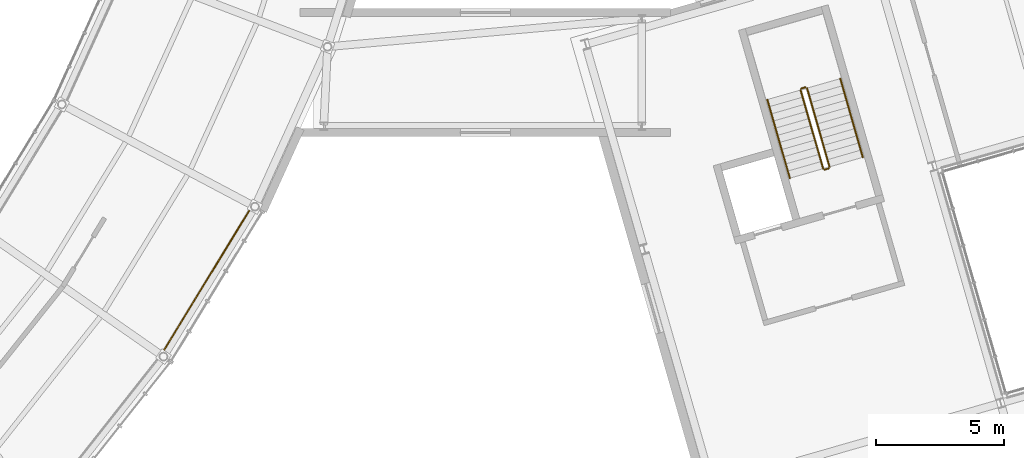
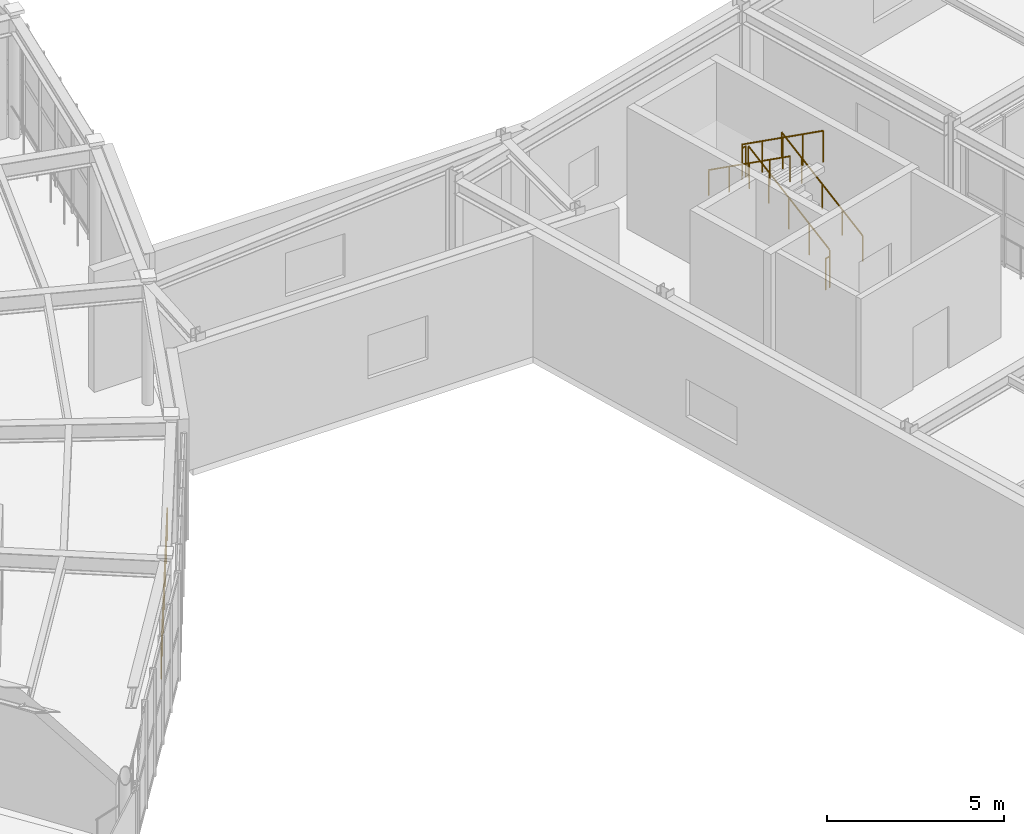
# One storey, part 94 of 103: 7 railings.
"""IFC4 building model written with IfcOpenShell, lengths in metres."""

import ifcopenshell
import ifcopenshell.guid

model = None  # the IFC model being written
_history = None  # IfcOwnerHistory: only IFC2X3 demands one
_inside = {}  # id of a spatial element -> (the spatial element, [elements in it])
_under = {}  # id of a project, library or spatial element -> (it, [spatial elements below it])
_declared = {}  # id of a project -> (the project, [libraries it declares])
_typed = {}  # id of a type object -> (the type object, [elements of that type])
_made_of = {}  # id of a material, layer set ... -> (it, [elements and type objects made of it])


def new_model(schema):
    """Start an empty IFC model of exactly this schema.

    Asked for "IFC4X3", IfcOpenShell would pick the latest addendum, in which some entities
    have other attributes; the version numbers below select the first issue.
    IFC2X3 requires an IfcOwnerHistory on every rooted entity: one is made here for all.
    """
    global model, _history
    if schema == "IFC4X3":
        model = ifcopenshell.file(schema_version=(4, 3, 0, 0))
    else:
        model = ifcopenshell.file(schema=schema)
    _inside.clear()
    _under.clear()
    _declared.clear()
    _typed.clear()
    _made_of.clear()
    _history = None
    if model.schema == "IFC2X3":
        org = make("IfcOrganization", Name="unknown")
        user = make(
            "IfcPersonAndOrganization",
            ThePerson=make("IfcPerson", FamilyName="unknown"),
            TheOrganization=org,
        )
        app = make(
            "IfcApplication",
            ApplicationDeveloper=org,
            Version="unknown",
            ApplicationFullName="unknown",
            ApplicationIdentifier="unknown",
        )
        _history = make(
            "IfcOwnerHistory",
            OwningUser=user,
            OwningApplication=app,
            ChangeAction="ADDED",
            CreationDate=0,
        )
    return model


def make(cls, **values):
    """One entity of the class cls with the attributes given. An attribute that is None is left unset."""
    return model.create_entity(
        cls, **{name: value for name, value in values.items() if value is not None}
    )


def rooted(cls, **values):
    """An entity with a GlobalId (a new one), such as an element, a storey or a relation."""
    return make(cls, GlobalId=ifcopenshell.guid.new(), OwnerHistory=_history, **values)


def si_unit(unit_type, name, prefix=None):
    """IfcSIUnit, for example si_unit("LENGTHUNIT", "METRE", prefix="MILLI")."""
    return make("IfcSIUnit", UnitType=unit_type, Prefix=prefix, Name=name)


def assignment(units):
    """IfcUnitAssignment: the units of a project."""
    return None if units is None else make("IfcUnitAssignment", Units=units)


def point(xyz):
    """IfcCartesianPoint."""
    return None if xyz is None else make("IfcCartesianPoint", Coordinates=xyz)


def direction(xyz):
    """IfcDirection."""
    return None if xyz is None else make("IfcDirection", DirectionRatios=xyz)


def frame(location, z_axis=None, x_axis=None):
    """IfcAxis2Placement3D, a coordinate frame: its origin and axes. An axis left out is left unset."""
    return make(
        "IfcAxis2Placement3D",
        Location=point(location),
        Axis=direction(z_axis),
        RefDirection=direction(x_axis),
    )


def frame_2d(location, x_axis=None):
    """IfcAxis2Placement2D, a coordinate frame in the plane: its origin and x axis."""
    return make(
        "IfcAxis2Placement2D", Location=point(location), RefDirection=direction(x_axis)
    )


def origin():
    """The frame at (0, 0, 0) with its axes left unset."""
    return frame((0.0, 0.0, 0.0))


def origin_2d():
    """The frame at (0, 0) in the plane with its x axis left unset."""
    return frame_2d((0.0, 0.0))


def place(relative_to, where):
    """IfcLocalPlacement: puts the frame where relative to a parent placement (None: the world)."""
    return make(
        "IfcLocalPlacement", PlacementRelTo=relative_to, RelativePlacement=where
    )


def context(
    kind, dimensions, precision=None, world=None, true_north=None, identifier=None
):
    """IfcGeometricRepresentationContext, for example the 3D "Model" context."""
    return make(
        "IfcGeometricRepresentationContext",
        ContextIdentifier=identifier,
        ContextType=kind,
        CoordinateSpaceDimension=dimensions,
        Precision=precision,
        WorldCoordinateSystem=world,
        TrueNorth=true_north,
    )


def subcontext(parent, identifier, kind, view, scale=None):
    """IfcGeometricRepresentationSubContext, for example "Body" below "Model"."""
    return make(
        "IfcGeometricRepresentationSubContext",
        ContextIdentifier=identifier,
        ContextType=kind,
        ParentContext=parent,
        TargetScale=scale,
        TargetView=view,
    )


def project(units=None, contexts=None):
    """IfcProject with its units and contexts."""
    return rooted(
        "IfcProject",
        Name="project",
        RepresentationContexts=contexts,
        UnitsInContext=assignment(units),
    )


def spatial(cls, under=None, at=None, **own):
    """A site, building, storey or space (cls), placed at a placement, below another one or the project."""
    s = rooted(cls, ObjectPlacement=at, **own)
    if under is not None:
        _under.setdefault(under.id(), (under, []))[1].append(s)
    return s


def profile(cls, at=None, kind="AREA", **sizes):
    """A parametric profile (cls). Its sizes go by their IFC names, for example OverallWidth=200.0."""
    return make(cls, ProfileType=kind, Position=at, **sizes)


def circle(**sizes):
    """IfcCircleProfileDef."""
    return profile("IfcCircleProfileDef", **sizes)


def extrude(swept, where, along, depth):
    """IfcExtrudedAreaSolid: the profile swept, set in the frame where, extruded along a direction by depth."""
    return make(
        "IfcExtrudedAreaSolid",
        SweptArea=swept,
        Position=where,
        ExtrudedDirection=direction(along),
        Depth=depth,
    )


def shape(context_of_items, identifier, shape_type, items):
    """IfcShapeRepresentation: the items that make up one representation, for example the "Body"."""
    return make(
        "IfcShapeRepresentation",
        ContextOfItems=context_of_items,
        RepresentationIdentifier=identifier,
        RepresentationType=shape_type,
        Items=items,
    )


def material(Name=None, Category=None):
    """IfcMaterial."""
    return make("IfcMaterial", Name=Name, Category=Category)


def made_of(thing, what):
    """Note that an element or type object is made of a material, layer set ...; save() writes the relation."""
    if what is not None:
        _made_of.setdefault(what.id(), (what, []))[1].append(thing)
    return thing


def type_object(cls, material=None, **own):
    """A type object (cls), such as IfcWallType, which elements share."""
    return made_of(rooted(cls, **own), material)


def element(
    cls,
    number,
    at=None,
    inside=None,
    cuts=None,
    type_object=None,
    material=None,
    context=None,
    identifier="Body",
    shape_type=None,
    held_by="IfcProductDefinitionShape",
    body=None,
    shapes=None,
    **own,
):
    """One element of the class cls, such as IfcWall. Its Tag is "e" and its number.

    at: its placement. inside: the storey or other place that contains it. cuts: it is an
    opening in that element (IfcRelVoidsElement). A single representation is given by context,
    identifier, shape_type and body (its items); several are given by shapes. held_by: the class
    of the entity that holds the representations. save() writes the other relations.
    """
    e = rooted(cls, Tag="e%d" % number, ObjectPlacement=at, **own)
    if body is not None:
        shapes = [shape(context, identifier, shape_type, body)]
    if shapes is not None:
        e.Representation = make(held_by, Representations=shapes)
    if inside is not None:
        _inside.setdefault(inside.id(), (inside, []))[1].append(e)
    if cuts is not None:
        rooted(
            "IfcRelVoidsElement", RelatingBuildingElement=cuts, RelatedOpeningElement=e
        )
    if type_object is not None:
        _typed.setdefault(type_object.id(), (type_object, []))[1].append(e)
    return made_of(e, material)


def aggregate(whole, parts):
    """IfcRelAggregates: a whole, such as a stair, and the parts it consists of."""
    return rooted("IfcRelAggregates", RelatingObject=whole, RelatedObjects=parts)


def save(model, path):
    """Write the relations noted so far, then the file.

    IfcRelAggregates (storeys below a building ...), IfcRelContainedInSpatialStructure (elements
    in a storey), IfcRelDefinesByType, IfcRelAssociatesMaterial and IfcRelDeclares: one each for
    every whole, place, type object, material and project.
    """
    for whole, parts in _under.values():
        aggregate(whole, parts)
    for where, things in _inside.values():
        rooted(
            "IfcRelContainedInSpatialStructure",
            RelatedElements=things,
            RelatingStructure=where,
        )
    for kind, things in _typed.values():
        rooted("IfcRelDefinesByType", RelatedObjects=things, RelatingType=kind)
    for what, things in _made_of.values():
        rooted("IfcRelAssociatesMaterial", RelatedObjects=things, RelatingMaterial=what)
    for by, libraries in _declared.values():
        rooted("IfcRelDeclares", RelatingContext=by, RelatedDefinitions=libraries)
    model.write(path)


model = new_model("IFC4")

# Units and contexts
model_context = context("Model", 3, precision=1e-05, world=origin(), true_north=direction((0.0, 1.0)))
body_context = subcontext(model_context, "Body", "Model", "MODEL_VIEW")
ifc_project = project(units=[si_unit("LENGTHUNIT", "METRE"), si_unit("AREAUNIT", "SQUARE_METRE"), si_unit("VOLUMEUNIT", "CUBIC_METRE"), si_unit("PLANEANGLEUNIT", "RADIAN"), si_unit("MASSUNIT", "GRAM", prefix="KILO")], contexts=[model_context])

# Site, building, storey
site_placement = place(None, origin())
site = spatial("IfcSite", under=ifc_project, at=site_placement, CompositionType="ELEMENT")
building_placement = place(site_placement, origin())
building = spatial("IfcBuilding", under=site, at=building_placement, Name="Varnklinge Art Gallery", CompositionType="ELEMENT")
storey_placement = place(building_placement, frame((0.0, 0.0, 5.10009765625)))
storey = spatial("IfcBuildingStorey", under=building, at=storey_placement, Name="L01", CompositionType="ELEMENT", Elevation=5.10009765625)

# Railings
ifc_material_1 = material(Name="Anodised Aluminium", Category="aluminium")
railing_type_1 = type_object("IfcRailingType", Name="BAL-01", PredefinedType="BALUSTRADE", material=ifc_material_1)
railing_1_placement = place(storey_placement, frame((101.058837890625, 22.888671875, 0.0)))
element("IfcRailing", 1, at=railing_1_placement, inside=storey, type_object=railing_type_1, Name="L01 Ring Outer Glazing Guard 02", PredefinedType="BALUSTRADE", context=body_context, shape_type="SweptSolid", body=[
    extrude(circle(Radius=0.02392578125, at=origin_2d()), frame((0.0, 0.0, 1.11572265625), z_axis=(0.520933930846, 0.853597000753, 0.0), x_axis=(-0.853597000753, 0.520933930846, 0.0)), (0.0, 0.0, 1.0), 6.83251953125),
    extrude(circle(Radius=0.02099609375, at=origin_2d()), origin(), (0.0, 0.0, 1.0), 1.091796875),
    extrude(circle(Radius=0.02099609375, at=origin_2d()), frame((0.59326171875, 0.97216796875, 0.0)), (0.0, 0.0, 1.0), 1.091796875),
    extrude(circle(Radius=0.02099609375, at=origin_2d()), frame((1.1865234375, 1.944091796875, 0.0)), (0.0, 0.0, 1.0), 1.091796875),
    extrude(circle(Radius=0.02099609375, at=origin_2d()), frame((1.77978515625, 2.916015625, 0.0)), (0.0, 0.0, 1.0), 1.091796875),
    extrude(circle(Radius=0.02099609375, at=origin_2d()), frame((2.372802734375, 3.88818359375, 0.0)), (0.0, 0.0, 1.0), 1.091796875),
    extrude(circle(Radius=0.02099609375, at=origin_2d()), frame((2.966064453125, 4.8603515625, 0.0)), (0.0, 0.0, 1.0), 1.091796875),
    extrude(circle(Radius=0.02099609375, at=origin_2d()), frame((3.559326171875, 5.832275390625, 0.0)), (0.0, 0.0, 1.0), 1.091796875),
])
ifc_material_2 = material(Name="Steel S355", Category="steel")
railing_type_2 = type_object("IfcRailingType", Name="GR-INT", PredefinedType="GUARDRAIL", material=ifc_material_2)
railing_2_placement = place(storey_placement, frame((127.11669921875, 30.222412109375, 0.18408203125)))
element("IfcRailing", 2, at=railing_2_placement, inside=storey, type_object=railing_type_2, Name="L01 ST-05 stair guard 1", PredefinedType="GUARDRAIL", context=body_context, shape_type="SweptSolid", body=[
    extrude(circle(Radius=0.02392578125, at=origin_2d()), frame((0.0, 0.0, 1.076171875), z_axis=(-0.232648368795, 0.811458903655, 0.536105571857), x_axis=(-0.961272281538, -0.275600436769, 0.0)), (0.0, 0.0, 1.0), 3.77880859375),
    extrude(circle(Radius=0.02099609375, at=origin_2d()), origin(), (0.0, 0.0, 1.0), 1.052001953125),
    extrude(circle(Radius=0.02099609375, at=origin_2d()), frame((-0.2197265625, 0.7666015625, 0.50634765625)), (0.0, 0.0, 1.0), 1.052001953125),
    extrude(circle(Radius=0.02099609375, at=origin_2d()), frame((-0.439453125, 1.533203125, 1.012939453125)), (0.0, 0.0, 1.0), 1.052001953125),
    extrude(circle(Radius=0.02099609375, at=origin_2d()), frame((-0.659423828125, 2.2998046875, 1.51953125)), (0.0, 0.0, 1.0), 1.052001953125),
    extrude(circle(Radius=0.02099609375, at=origin_2d()), frame((-0.879150390625, 3.06640625, 2.02587890625)), (0.0, 0.0, 1.0), 1.052001953125),
])
railing_3_placement = place(storey_placement, frame((126.17578125, 33.322998046875, 2.2099609375)))
element("IfcRailing", 3, at=railing_3_placement, inside=storey, type_object=railing_type_2, Name="L01 ST-05 stair guard 2", PredefinedType="GUARDRAIL", context=body_context, shape_type="SweptSolid", body=[
    extrude(circle(Radius=0.02392578125, at=origin_2d()), frame((0.0, 0.0, 1.076171875), z_axis=(-0.96111992786, -0.276131280861, 0.0), x_axis=(0.276131280861, -0.96111992786, 0.0)), (0.0, 0.0, 1.0), 0.159912109375),
    extrude(circle(Radius=0.02099609375, at=origin_2d()), origin(), (0.0, 0.0, 1.0), 1.052001953125),
    extrude(circle(Radius=0.02099609375, at=origin_2d()), frame((-0.15380859375, -0.044189453125, 0.0)), (0.0, 0.0, 1.0), 1.052001953125),
])
railing_4_placement = place(storey_placement, frame((125.987548828125, 33.217041015625, 2.39404296875)))
element("IfcRailing", 4, at=railing_4_placement, inside=storey, type_object=railing_type_2, Name="L01 ST-05 stair guard 3", PredefinedType="GUARDRAIL", context=body_context, shape_type="SweptSolid", body=[
    extrude(circle(Radius=0.02392578125, at=origin_2d()), frame((0.0, 0.0, 1.076171875), z_axis=(0.232709477168, -0.811446705506, 0.536097512921), x_axis=(0.961252003326, 0.275671155731, 0.0)), (0.0, 0.0, 1.0), 3.779052734375),
    extrude(circle(Radius=0.02099609375, at=origin_2d()), origin(), (0.0, 0.0, 1.0), 1.052001953125),
    extrude(circle(Radius=0.02099609375, at=origin_2d()), frame((0.2197265625, -0.7666015625, 0.50634765625)), (0.0, 0.0, 1.0), 1.052001953125),
    extrude(circle(Radius=0.02099609375, at=origin_2d()), frame((0.439697265625, -1.533203125, 1.012939453125)), (0.0, 0.0, 1.0), 1.052001953125),
    extrude(circle(Radius=0.02099609375, at=origin_2d()), frame((0.65966796875, -2.2998046875, 1.51953125)), (0.0, 0.0, 1.0), 1.052001953125),
    extrude(circle(Radius=0.02099609375, at=origin_2d()), frame((0.87939453125, -3.06640625, 2.02587890625)), (0.0, 0.0, 1.0), 1.052001953125),
])
railing_5_placement = place(storey_placement, frame((127.08251953125, 30.160400390625, 0.0)))
element("IfcRailing", 5, at=railing_5_placement, inside=storey, type_object=railing_type_2, Name="L01 ST-05 stair guard 4", PredefinedType="GUARDRAIL", context=body_context, shape_type="SweptSolid", body=[
    extrude(circle(Radius=0.02392578125, at=origin_2d()), frame((0.0, 0.0, 1.076171875), z_axis=(-0.961523947641, -0.274721127897, 0.0), x_axis=(0.274721127897, -0.961523947641, 0.0)), (0.0, 0.0, 1.0), 0.159912109375),
    extrude(circle(Radius=0.02099609375, at=origin_2d()), origin(), (0.0, 0.0, 1.0), 1.052001953125),
    extrude(circle(Radius=0.02099609375, at=origin_2d()), frame((-0.15380859375, -0.0439453125, 0.0)), (0.0, 0.0, 1.0), 1.052001953125),
])
ifc_material_3 = material(Name="Steel S355", Category="steel")
railing_type_3 = type_object("IfcRailingType", Name="HR-01", PredefinedType="HANDRAIL", material=ifc_material_3)
railing_6_placement = place(storey_placement, frame((128.41455078125, 30.594482421875, 0.18408203125)))
element("IfcRailing", 6, at=railing_6_placement, inside=storey, type_object=railing_type_3, Name="L01 ST-05 stair handrail 1", PredefinedType="HANDRAIL", context=body_context, shape_type="SweptSolid", body=[
    extrude(circle(Radius=0.02392578125, at=origin_2d()), frame((0.0, 0.0, 0.8759765625), z_axis=(-0.232709477168, 0.811446705506, 0.536097512921), x_axis=(-0.961252003326, -0.275671155731, 0.0)), (0.0, 0.0, 1.0), 3.779052734375),
    extrude(circle(Radius=0.02099609375, at=origin_2d()), origin(), (0.0, 0.0, 1.0), 0.851806640625),
    extrude(circle(Radius=0.02099609375, at=origin_2d()), frame((-0.2197265625, 0.7666015625, 0.50634765625)), (0.0, 0.0, 1.0), 0.851806640625),
    extrude(circle(Radius=0.02099609375, at=origin_2d()), frame((-0.439697265625, 1.533203125, 1.012939453125)), (0.0, 0.0, 1.0), 0.851806640625),
    extrude(circle(Radius=0.02099609375, at=origin_2d()), frame((-0.65966796875, 2.2998046875, 1.51953125)), (0.0, 0.0, 1.0), 0.851806640625),
    extrude(circle(Radius=0.02099609375, at=origin_2d()), frame((-0.87939453125, 3.06640625, 2.02587890625)), (0.0, 0.0, 1.0), 0.851806640625),
])
railing_7_placement = place(storey_placement, frame((124.68994140625, 32.844970703125, 2.39404296875)))
element("IfcRailing", 7, at=railing_7_placement, inside=storey, type_object=railing_type_3, Name="L01 ST-05 stair handrail 2", PredefinedType="HANDRAIL", context=body_context, shape_type="SweptSolid", body=[
    extrude(circle(Radius=0.02392578125, at=origin_2d()), frame((0.0, 0.0, 0.8759765625), z_axis=(0.232648368795, -0.811458903655, 0.536105571857), x_axis=(0.961272281538, 0.275600436769, 0.0)), (0.0, 0.0, 1.0), 3.77880859375),
    extrude(circle(Radius=0.02099609375, at=origin_2d()), origin(), (0.0, 0.0, 1.0), 0.851806640625),
    extrude(circle(Radius=0.02099609375, at=origin_2d()), frame((0.2197265625, -0.7666015625, 0.50634765625)), (0.0, 0.0, 1.0), 0.851806640625),
    extrude(circle(Radius=0.02099609375, at=origin_2d()), frame((0.439453125, -1.533203125, 1.012939453125)), (0.0, 0.0, 1.0), 0.851806640625),
    extrude(circle(Radius=0.02099609375, at=origin_2d()), frame((0.659423828125, -2.2998046875, 1.51953125)), (0.0, 0.0, 1.0), 0.851806640625),
    extrude(circle(Radius=0.02099609375, at=origin_2d()), frame((0.879150390625, -3.06640625, 2.02587890625)), (0.0, 0.0, 1.0), 0.851806640625),
])

save(model, "model.ifc")
